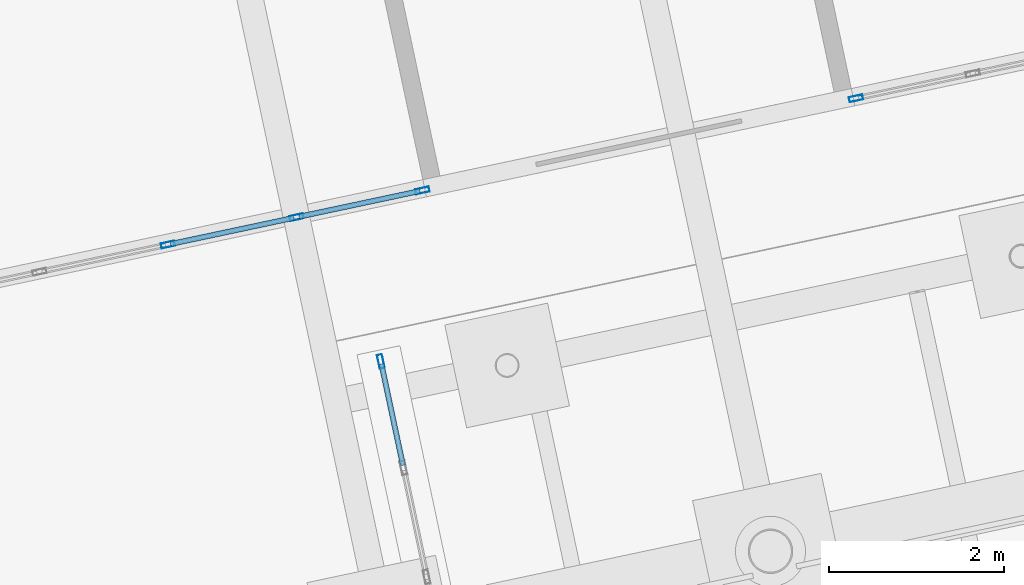
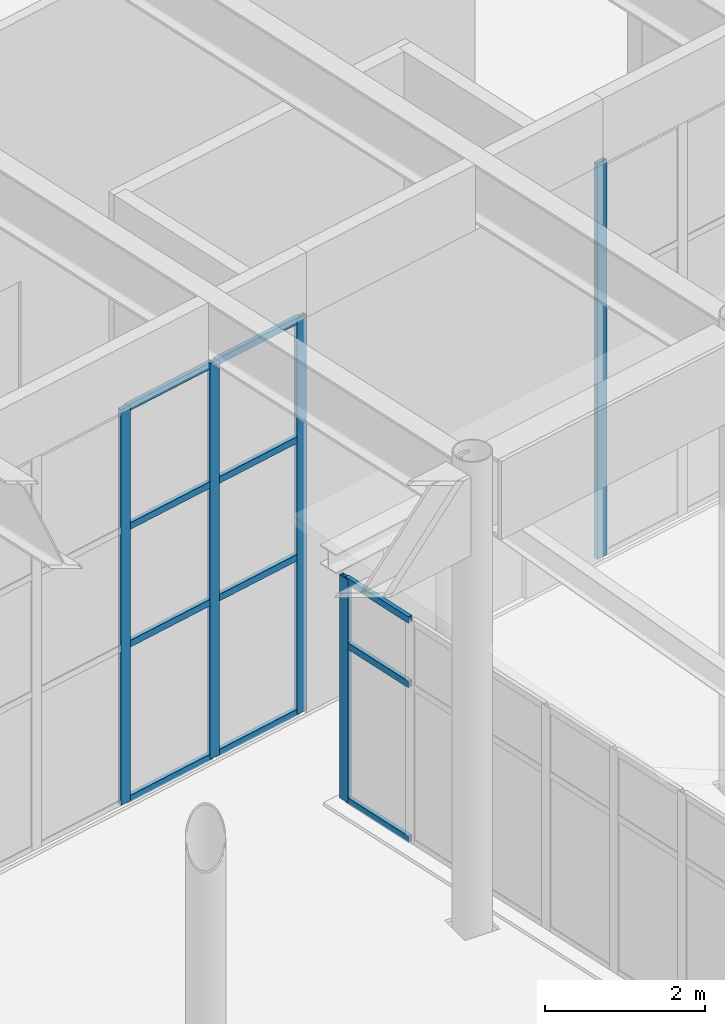
# One storey, part 67 of 239: 16 members, 3 elements without a shape of their own.
"""IFC4 building model written with IfcOpenShell, lengths in metres."""

from ifc_helpers import new_model, si_unit, direction, frame, origin, origin_2d, place, context, subcontext, project, spatial, hollow_rectangle, extrude, material, material_profile, profile_set, type_object, element, aggregate, save


model = new_model("IFC4")

# Units and contexts
model_context = context("Model", 3, precision=1e-05, world=origin(), true_north=direction((0.0, 1.0)))
body_context = subcontext(model_context, "Body", "Model", "MODEL_VIEW")
ifc_project = project(units=[si_unit("LENGTHUNIT", "METRE"), si_unit("AREAUNIT", "SQUARE_METRE"), si_unit("VOLUMEUNIT", "CUBIC_METRE"), si_unit("PLANEANGLEUNIT", "RADIAN"), si_unit("MASSUNIT", "GRAM", prefix="KILO")], contexts=[model_context])

# Site, building, storey
site_placement = place(None, origin())
site = spatial("IfcSite", under=ifc_project, at=site_placement, CompositionType="ELEMENT")
building_placement = place(site_placement, origin())
building = spatial("IfcBuilding", under=site, at=building_placement, Name="Okhra Congress Centre", CompositionType="ELEMENT")
storey_placement = place(building_placement, origin())
storey = spatial("IfcBuildingStorey", under=building, at=storey_placement, Name="L00", CompositionType="ELEMENT", Elevation=0.0)

# Curtain wall, members
ifc_material_1 = material(Name="Aluminium curtain wall, triple glazing", Category="aluminium")
curtain_wall_type_1 = type_object("IfcCurtainWallType", Name="Curtain wall 1500 module", PredefinedType="NOTDEFINED", material=ifc_material_1)
curtain_wall_1_placement = place(storey_placement, origin())
curtain_wall_1 = element("IfcCurtainWall", 1, at=curtain_wall_1_placement, inside=storey, type_object=curtain_wall_type_1, Name="Ground curtain wall S2", PredefinedType="NOTDEFINED")
ifc_material_2 = material(Name="Aluminium alloy EN AW-6063 T66", Category="aluminium")
ifc_material_profile_1 = material_profile(ifc_material_2, hollow_rectangle(XDim=0.06005859375, YDim=0.159912109375, WallThickness=0.00390625, at=origin_2d()), Name="RHS 60x160x4")
ifc_profile_set_1 = profile_set([ifc_material_profile_1], Name="Aluminium alloy EN AW-6063 T66")
member_type_1 = type_object("IfcMemberType", Name="Curtain wall mullion 60x160", PredefinedType="MULLION", material=ifc_profile_set_1)
member_1_placement = place(storey_placement, frame((120.15771484375, 44.3447265625, 0.0), z_axis=(0.0, 0.0, 1.0), x_axis=(-0.207911690818, 0.978147600734, 0.0)))
member_1 = element("IfcMember", 2, at=member_1_placement, type_object=member_type_1, Name="CW7 mullion 22", PredefinedType="MULLION", context=body_context, shape_type="SweptSolid", body=[
    extrude(hollow_rectangle(XDim=0.06005859375, YDim=0.159912109375, WallThickness=0.00390625, at=origin_2d()), origin(), (0.0, 0.0, 1.0), 6.050048828125),
])
member_2_placement = place(storey_placement, frame((121.625, 44.656494140625, 0.0), z_axis=(0.0, 0.0, 1.0), x_axis=(-0.207911690818, 0.978147600734, 0.0)))
member_2 = element("IfcMember", 3, at=member_2_placement, type_object=member_type_1, Name="CW7 mullion 23", PredefinedType="MULLION", context=body_context, shape_type="SweptSolid", body=[
    extrude(hollow_rectangle(XDim=0.06005859375, YDim=0.159912109375, WallThickness=0.00390625, at=origin_2d()), origin(), (0.0, 0.0, 1.0), 6.050048828125),
])
member_3_placement = place(storey_placement, frame((123.062744140625, 44.962158203125, 0.0), z_axis=(0.0, 0.0, 1.0), x_axis=(-0.207911690818, 0.978147600734, 0.0)))
member_3 = element("IfcMember", 4, at=member_3_placement, type_object=member_type_1, Name="CW7 mullion 24", PredefinedType="MULLION", context=body_context, shape_type="SweptSolid", body=[
    extrude(hollow_rectangle(XDim=0.06005859375, YDim=0.159912109375, WallThickness=0.00390625, at=origin_2d()), origin(), (0.0, 0.0, 1.0), 6.050048828125),
])

# Curtain wall, member
curtain_wall_2_placement = place(storey_placement, origin())
curtain_wall_2 = element("IfcCurtainWall", 5, at=curtain_wall_2_placement, inside=storey, type_object=curtain_wall_type_1, Name="Ground curtain wall S3", PredefinedType="NOTDEFINED")
member_4_placement = place(storey_placement, frame((128.01220703125, 46.01416015625, 0.0), z_axis=(0.0, 0.0, 1.0), x_axis=(-0.207911690818, 0.978147600734, 0.0)))
member_4 = element("IfcMember", 6, at=member_4_placement, type_object=member_type_1, Name="CW7 mullion 1", PredefinedType="MULLION", context=body_context, shape_type="SweptSolid", body=[
    extrude(hollow_rectangle(XDim=0.06005859375, YDim=0.159912109375, WallThickness=0.00390625, at=origin_2d()), origin(), (0.0, 0.0, 1.0), 6.050048828125),
])
aggregate(curtain_wall_2, [member_4])

curtain_wall_type_2 = type_object("IfcCurtainWallType", Name="Curtain wall 1200 module", PredefinedType="NOTDEFINED", material=ifc_material_1)
curtain_wall_3_placement = place(storey_placement, origin())
curtain_wall_3 = element("IfcCurtainWall", 7, at=curtain_wall_3_placement, inside=storey, type_object=curtain_wall_type_2, Name="Porch glazed side 1", PredefinedType="NOTDEFINED")
member_5_placement = place(storey_placement, frame((122.588134765625, 43.010986328125, 0.0), z_axis=(0.0, 0.0, 1.0), x_axis=(-0.978147600734, -0.207911690818, 0.0)))
member_5 = element("IfcMember", 8, at=member_5_placement, type_object=member_type_1, Name="CW8 mullion 9", PredefinedType="MULLION", context=body_context, shape_type="SweptSolid", body=[
    extrude(hollow_rectangle(XDim=0.06005859375, YDim=0.159912109375, WallThickness=0.00390625, at=origin_2d()), origin(), (0.0, 0.0, 1.0), 3.415771484375),
])

# Member
ifc_material_profile_2 = material_profile(ifc_material_2, hollow_rectangle(XDim=0.06005859375, YDim=0.10009765625, WallThickness=0.00390625, at=origin_2d()), Name="RHS 60x100x4")
ifc_profile_set_2 = profile_set([ifc_material_profile_2], Name="Aluminium alloy EN AW-6063 T66")
member_type_2 = type_object("IfcMemberType", Name="Curtain wall transom 60x100", PredefinedType="USERDEFINED", material=ifc_profile_set_2)
member_6_placement = place(storey_placement, frame((120.18701171875, 44.350830078125, 0.030029296875), z_axis=(0.978121346413, 0.208035169362, 0.0), x_axis=(-0.208035169362, 0.978121346413, 0.0)))
member_6 = element("IfcMember", 9, at=member_6_placement, type_object=member_type_2, Name="CW7 transom 22.1", ObjectType="TRANSOM", PredefinedType="USERDEFINED", context=body_context, shape_type="SweptSolid", body=[
    extrude(hollow_rectangle(XDim=0.06005859375, YDim=0.10009765625, WallThickness=0.00390625, at=origin_2d()), origin(), (0.0, 0.0, 1.0), 1.43994140625),
])

member_7_placement = place(storey_placement, frame((120.18701171875, 44.350830078125, 2.39990234375), z_axis=(0.978121346413, 0.208035169362, 0.0), x_axis=(-0.208035169362, 0.978121346413, 0.0)))
member_7 = element("IfcMember", 10, at=member_7_placement, type_object=member_type_2, Name="CW7 transom 22.2", ObjectType="TRANSOM", PredefinedType="USERDEFINED", context=body_context, shape_type="SweptSolid", body=[
    extrude(hollow_rectangle(XDim=0.06005859375, YDim=0.10009765625, WallThickness=0.00390625, at=origin_2d()), origin(), (0.0, 0.0, 1.0), 1.43994140625),
])

member_8_placement = place(storey_placement, frame((120.18701171875, 44.350830078125, 4.199951171875), z_axis=(0.978121346413, 0.208035169362, 0.0), x_axis=(-0.208035169362, 0.978121346413, 0.0)))
member_8 = element("IfcMember", 11, at=member_8_placement, type_object=member_type_2, Name="CW7 transom 22.3", ObjectType="TRANSOM", PredefinedType="USERDEFINED", context=body_context, shape_type="SweptSolid", body=[
    extrude(hollow_rectangle(XDim=0.06005859375, YDim=0.10009765625, WallThickness=0.00390625, at=origin_2d()), origin(), (0.0, 0.0, 1.0), 1.43994140625),
])

member_9_placement = place(storey_placement, frame((120.18701171875, 44.350830078125, 6.02001953125), z_axis=(0.978121346413, 0.208035169362, 0.0), x_axis=(-0.208035169362, 0.978121346413, 0.0)))
member_9 = element("IfcMember", 12, at=member_9_placement, type_object=member_type_2, Name="CW7 transom 22.4", ObjectType="TRANSOM", PredefinedType="USERDEFINED", context=body_context, shape_type="SweptSolid", body=[
    extrude(hollow_rectangle(XDim=0.06005859375, YDim=0.10009765625, WallThickness=0.00390625, at=origin_2d()), origin(), (0.0, 0.0, 1.0), 1.43994140625),
])

member_10_placement = place(storey_placement, frame((121.654296875, 44.662841796875, 0.030029296875), z_axis=(0.978138163043, 0.207956086708, 0.0), x_axis=(-0.207956086708, 0.978138163043, 0.0)))
member_10 = element("IfcMember", 13, at=member_10_placement, type_object=member_type_2, Name="CW7 transom 23.1", ObjectType="TRANSOM", PredefinedType="USERDEFINED", context=body_context, shape_type="SweptSolid", body=[
    extrude(hollow_rectangle(XDim=0.06005859375, YDim=0.10009765625, WallThickness=0.00390625, at=origin_2d()), origin(), (0.0, 0.0, 1.0), 1.409912109375),
])

member_11_placement = place(storey_placement, frame((121.654296875, 44.662841796875, 2.39990234375), z_axis=(0.978138163043, 0.207956086708, 0.0), x_axis=(-0.207956086708, 0.978138163043, 0.0)))
member_11 = element("IfcMember", 14, at=member_11_placement, type_object=member_type_2, Name="CW7 transom 23.2", ObjectType="TRANSOM", PredefinedType="USERDEFINED", context=body_context, shape_type="SweptSolid", body=[
    extrude(hollow_rectangle(XDim=0.06005859375, YDim=0.10009765625, WallThickness=0.00390625, at=origin_2d()), origin(), (0.0, 0.0, 1.0), 1.409912109375),
])

member_12_placement = place(storey_placement, frame((121.654296875, 44.662841796875, 4.199951171875), z_axis=(0.978138163043, 0.207956086708, 0.0), x_axis=(-0.207956086708, 0.978138163043, 0.0)))
member_12 = element("IfcMember", 15, at=member_12_placement, type_object=member_type_2, Name="CW7 transom 23.3", ObjectType="TRANSOM", PredefinedType="USERDEFINED", context=body_context, shape_type="SweptSolid", body=[
    extrude(hollow_rectangle(XDim=0.06005859375, YDim=0.10009765625, WallThickness=0.00390625, at=origin_2d()), origin(), (0.0, 0.0, 1.0), 1.409912109375),
])

member_13_placement = place(storey_placement, frame((121.654296875, 44.662841796875, 6.02001953125), z_axis=(0.978138163043, 0.207956086708, 0.0), x_axis=(-0.207956086708, 0.978138163043, 0.0)))
member_13 = element("IfcMember", 16, at=member_13_placement, type_object=member_type_2, Name="CW7 transom 23.4", ObjectType="TRANSOM", PredefinedType="USERDEFINED", context=body_context, shape_type="SweptSolid", body=[
    extrude(hollow_rectangle(XDim=0.06005859375, YDim=0.10009765625, WallThickness=0.00390625, at=origin_2d()), origin(), (0.0, 0.0, 1.0), 1.409912109375),
])

aggregate(curtain_wall_1, [member_1, member_2, member_3, member_6, member_7, member_8, member_9, member_10, member_11, member_12, member_13])

member_14_placement = place(storey_placement, frame((122.840087890625, 41.825439453125, 0.030029296875), z_axis=(-0.208019342241, 0.978124712526, 0.0), x_axis=(-0.978124712526, -0.208019342241, 0.0)))
member_14 = element("IfcMember", 17, at=member_14_placement, type_object=member_type_2, Name="CW8 transom 8.1", ObjectType="TRANSOM", PredefinedType="USERDEFINED", context=body_context, shape_type="SweptSolid", body=[
    extrude(hollow_rectangle(XDim=0.06005859375, YDim=0.10009765625, WallThickness=0.00390625, at=origin_2d()), origin(), (0.0, 0.0, 1.0), 1.181884765625),
])

member_15_placement = place(storey_placement, frame((122.840087890625, 41.825439453125, 2.39990234375), z_axis=(-0.208019342241, 0.978124712526, 0.0), x_axis=(-0.978124712526, -0.208019342241, 0.0)))
member_15 = element("IfcMember", 18, at=member_15_placement, type_object=member_type_2, Name="CW8 transom 8.2", ObjectType="TRANSOM", PredefinedType="USERDEFINED", context=body_context, shape_type="SweptSolid", body=[
    extrude(hollow_rectangle(XDim=0.06005859375, YDim=0.10009765625, WallThickness=0.00390625, at=origin_2d()), origin(), (0.0, 0.0, 1.0), 1.181884765625),
])

member_16_placement = place(storey_placement, frame((122.840087890625, 41.825439453125, 3.3857421875), z_axis=(-0.208019342241, 0.978124712526, 0.0), x_axis=(-0.978124712526, -0.208019342241, 0.0)))
member_16 = element("IfcMember", 19, at=member_16_placement, type_object=member_type_2, Name="CW8 transom 8.3", ObjectType="TRANSOM", PredefinedType="USERDEFINED", context=body_context, shape_type="SweptSolid", body=[
    extrude(hollow_rectangle(XDim=0.06005859375, YDim=0.10009765625, WallThickness=0.00390625, at=origin_2d()), origin(), (0.0, 0.0, 1.0), 1.181884765625),
])

aggregate(curtain_wall_3, [member_5, member_14, member_15, member_16])

save(model, "model.ifc")
